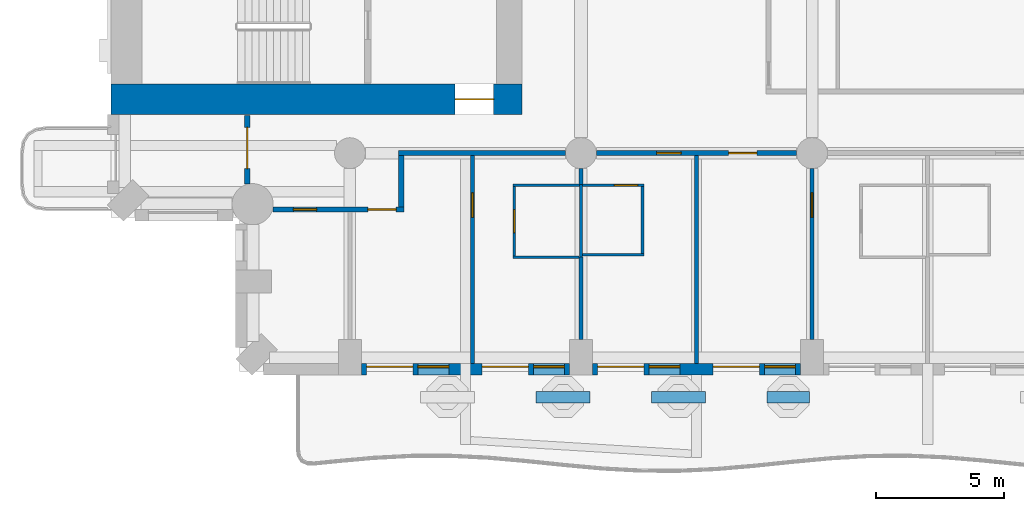
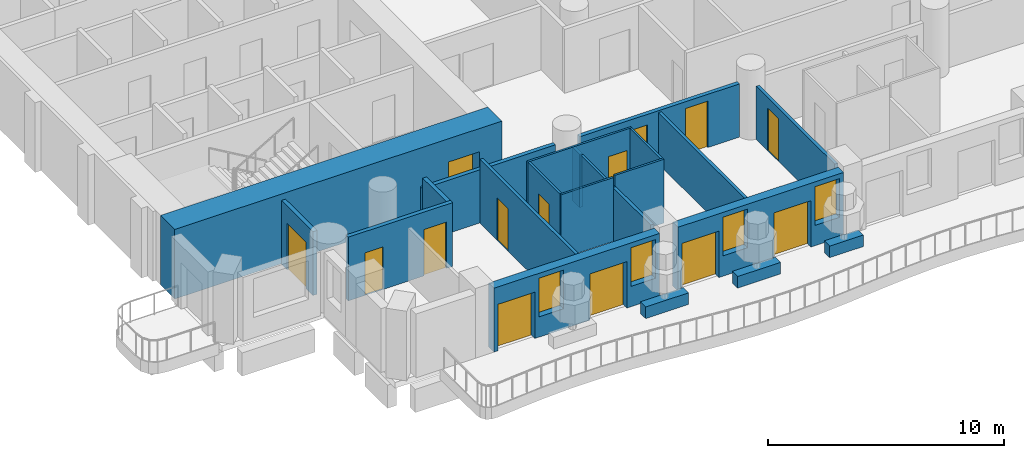
# One storey, part 3 of 20: 22 walls, 14 doors, 4 windows, 18 openings.
"""IFC4 building model written with IfcOpenShell, lengths in metres."""

from ifc_helpers import new_model, si_unit, direction, frame, frame_2d, origin, place, context, subcontext, project, spatial, rectangle, extrude, material, layer, layer_set, type_object, element, fill, save


model = new_model("IFC4")

# Units and contexts
model_context = context("Model", 3, precision=1e-05, world=origin(), true_north=direction((0.0, 1.0)))
body_context = subcontext(model_context, "Body", "Model", "MODEL_VIEW")
ifc_project = project(units=[si_unit("LENGTHUNIT", "METRE"), si_unit("AREAUNIT", "SQUARE_METRE"), si_unit("VOLUMEUNIT", "CUBIC_METRE"), si_unit("PLANEANGLEUNIT", "RADIAN"), si_unit("MASSUNIT", "GRAM", prefix="KILO")], contexts=[model_context])

# Site, building, storey
site_placement = place(None, origin())
site = spatial("IfcSite", under=ifc_project, at=site_placement, CompositionType="ELEMENT")
building_placement = place(site_placement, origin())
building = spatial("IfcBuilding", under=site, at=building_placement, Name="Cypress Arch Tower", CompositionType="ELEMENT")
storey_placement = place(building_placement, frame((0.0, 0.0, 80.699951171875)))
storey = spatial("IfcBuildingStorey", under=building, at=storey_placement, Name="L14", CompositionType="ELEMENT", Elevation=80.699951171875)

# Walls
ifc_material_1 = material(Name="Concrete C40/50, waterproofed", Category="concrete")
ifc_layer_1 = layer(ifc_material_1, 0.449951171875)
ifc_layer_set_1 = layer_set([ifc_layer_1], Name="Balcony planter wall PW450")
wall_type_1 = type_object("IfcWallType", Name="Balcony planter wall PW450", PredefinedType="SOLIDWALL", material=ifc_layer_set_1)
for number, where, z_axis, x_axis, name in (
    (1, (-13.449951171875, -27.0, 0.0), (0.0, 0.0, 1.0), (1.0, 0.0, 0.0), "Balcony planter wall L14-A03.2"),
    (2, (-8.949951171875, -27.0, 0.0), (0.0, 0.0, 1.0), (1.0, 0.0, 0.0), "Balcony planter wall L14-A03.3"),
):
    element("IfcWall", number, at=place(storey_placement, frame(where, z_axis=z_axis, x_axis=x_axis)), inside=storey, type_object=wall_type_1, Name=name, PredefinedType="SOLIDWALL", context=body_context, shape_type="SweptSolid", body=[
        extrude(rectangle(XDim=2.099853515625, YDim=0.449951171875, at=frame_2d((1.0498046875, 0.0))), origin(), (0.0, 0.0, 1.0), 0.60009765625),
    ])
wall_1_placement = place(storey_placement, frame((-4.449951171875, -27.0, 0.0), z_axis=(0.0, 0.0, 1.0), x_axis=(1.0, 0.0, 0.0)))
element("IfcWall", 3, at=wall_1_placement, inside=storey, type_object=wall_type_1, Name="Balcony planter wall L14-A03.4", PredefinedType="SOLIDWALL", context=body_context, shape_type="SweptSolid", body=[
    extrude(rectangle(XDim=1.64990234375, YDim=0.449951171875, at=frame_2d((0.824951171875, 0.0))), origin(), (0.0, 0.0, 1.0), 0.60009765625),
])

# Wall, openings, doors, windows
ifc_material_2 = material(Name="Brick (red buff blend)", Category="masonry")
ifc_layer_2 = layer(ifc_material_2, 0.449951171875)
ifc_layer_set_2 = layer_set([ifc_layer_2], Name="Brick pier and spandrel wall BW450")
wall_type_2 = type_object("IfcWallType", Name="Brick pier and spandrel wall BW450", PredefinedType="SOLIDWALL", material=ifc_layer_set_2)
wall_2_placement = place(storey_placement, frame((-20.25, -25.925048828125, 0.0), z_axis=(0.0, 0.0, 1.0), x_axis=(1.0, 0.0, 0.0)))
wall_2 = element("IfcWall", 4, at=wall_2_placement, inside=storey, type_object=wall_type_2, Name="Brick wall L14 A03.1", PredefinedType="SOLIDWALL", context=body_context, shape_type="SweptSolid", body=[
    extrude(rectangle(XDim=8.10009765625, YDim=0.449951171875, at=frame_2d((4.050048828125, 0.0))), origin(), (0.0, 0.0, 1.0), 3.300048828125),
])
opening_1_placement = place(wall_2_placement, frame((0.199951171875, 0.0, 0.0)))
opening_1 = element("IfcOpeningElement", 5, at=opening_1_placement, cuts=wall_2, Name="Opening D-L14-A03.1.1", PredefinedType="OPENING", context=body_context, shape_type="SweptSolid", body=[
    extrude(rectangle(XDim=1.800048828125, YDim=2.39990234375, at=frame_2d((0.89990234375, 1.199951171875))), frame((0.0, 0.23486328125, 0.0), z_axis=(0.0, -1.0, 0.0), x_axis=(1.0, 0.0, 0.0)), (0.0, 0.0, 1.0), 0.469970703125),
])
opening_2_placement = place(wall_2_placement, frame((2.199951171875, 0.0, 1.050048828125)))
opening_2 = element("IfcOpeningElement", 6, at=opening_2_placement, cuts=wall_2, Name="Opening W120HD", PredefinedType="OPENING", context=body_context, shape_type="SweptSolid", body=[
    extrude(rectangle(XDim=1.199951171875, YDim=2.0, at=frame_2d((0.60009765625, 1.0))), frame((0.0, 0.23486328125, 0.0), z_axis=(0.0, -1.0, 0.0), x_axis=(1.0, 0.0, 0.0)), (0.0, 0.0, 1.0), 0.469970703125),
])
opening_3_placement = place(wall_2_placement, frame((4.699951171875, 0.0, 0.0)))
opening_3 = element("IfcOpeningElement", 7, at=opening_3_placement, cuts=wall_2, Name="Opening D-L14-A03.1.2", PredefinedType="OPENING", context=body_context, shape_type="SweptSolid", body=[
    extrude(rectangle(XDim=1.800048828125, YDim=2.39990234375, at=frame_2d((0.89990234375, 1.199951171875))), frame((0.0, 0.23486328125, 0.0), z_axis=(0.0, -1.0, 0.0), x_axis=(1.0, 0.0, 0.0)), (0.0, 0.0, 1.0), 0.469970703125),
])
opening_4_placement = place(wall_2_placement, frame((6.699951171875, 0.0, 1.050048828125)))
opening_4 = element("IfcOpeningElement", 8, at=opening_4_placement, cuts=wall_2, Name="Opening W120HD", PredefinedType="OPENING", context=body_context, shape_type="SweptSolid", body=[
    extrude(rectangle(XDim=1.199951171875, YDim=2.0, at=frame_2d((0.60009765625, 1.0))), frame((0.0, 0.23486328125, 0.0), z_axis=(0.0, -1.0, 0.0), x_axis=(1.0, 0.0, 0.0)), (0.0, 0.0, 1.0), 0.469970703125),
])
ifc_material_3 = material(Name="Anodised aluminium, bronze finish, laminated low-emissivity double glazing, large-missile impact rated", Category="aluminium")
door_type_1 = type_object("IfcDoorType", Name="Balcony sliding door 1800x2400", OperationType="SLIDING_TO_LEFT", PredefinedType="DOOR", material=ifc_material_3)
door_1_placement = place(opening_1_placement, origin())
door_1 = element("IfcDoor", 9, at=door_1_placement, inside=storey, type_object=door_type_1, Name="Balcony door L14 A03.1.1", OperationType="SLIDING_TO_LEFT", OverallHeight=2.39990234375, OverallWidth=1.800048828125, PredefinedType="DOOR", context=body_context, shape_type="SweptSolid", body=[
    extrude(rectangle(XDim=1.800048828125, YDim=2.39990234375, at=frame_2d((0.89990234375, 1.199951171875))), frame((0.0, 0.1298828125, 0.0), z_axis=(0.0, -1.0, 0.0), x_axis=(1.0, 0.0, 0.0)), (0.0, 0.0, 1.0), 0.050048828125),
])
fill(opening_1, door_1)
door_2_placement = place(opening_3_placement, origin())
door_2 = element("IfcDoor", 10, at=door_2_placement, inside=storey, type_object=door_type_1, Name="Balcony door L14 A03.1.2", OperationType="SLIDING_TO_LEFT", OverallHeight=2.39990234375, OverallWidth=1.800048828125, PredefinedType="DOOR", context=body_context, shape_type="SweptSolid", body=[
    extrude(rectangle(XDim=1.800048828125, YDim=2.39990234375, at=frame_2d((0.89990234375, 1.199951171875))), frame((0.0, 0.1298828125, 0.0), z_axis=(0.0, -1.0, 0.0), x_axis=(1.0, 0.0, 0.0)), (0.0, 0.0, 1.0), 0.050048828125),
])
fill(opening_3, door_2)
ifc_material_4 = material(Name="Anodised aluminium, bronze finish, laminated low-emissivity double glazing, large-missile impact rated", Category="aluminium")
window_type = type_object("IfcWindowType", Name="Window Hotel 1200x2000 debris-rated", PartitioningType="SINGLE_PANEL", PredefinedType="WINDOW", material=ifc_material_4)
window_1_placement = place(opening_2_placement, origin())
window_1 = element("IfcWindow", 11, at=window_1_placement, inside=storey, type_object=window_type, Name="Window L14 A03.1.1", OverallHeight=2.0, OverallWidth=1.199951171875, PartitioningType="SINGLE_PANEL", PredefinedType="WINDOW", context=body_context, shape_type="SweptSolid", body=[
    extrude(rectangle(XDim=1.199951171875, YDim=2.0, at=frame_2d((0.60009765625, 1.0))), frame((0.0, 0.135009765625, 0.0), z_axis=(0.0, -1.0, 0.0), x_axis=(1.0, 0.0, 0.0)), (0.0, 0.0, 1.0), 0.06005859375),
])
fill(opening_2, window_1)
window_2_placement = place(opening_4_placement, origin())
window_2 = element("IfcWindow", 12, at=window_2_placement, inside=storey, type_object=window_type, Name="Window L14 A03.1.2", OverallHeight=2.0, OverallWidth=1.199951171875, PartitioningType="SINGLE_PANEL", PredefinedType="WINDOW", context=body_context, shape_type="SweptSolid", body=[
    extrude(rectangle(XDim=1.199951171875, YDim=2.0, at=frame_2d((0.60009765625, 1.0))), frame((0.0, 0.135009765625, 0.0), z_axis=(0.0, -1.0, 0.0), x_axis=(1.0, 0.0, 0.0)), (0.0, 0.0, 1.0), 0.06005859375),
])
fill(opening_4, window_2)

wall_3_placement = place(storey_placement, frame((-11.25, -25.925048828125, 0.0), z_axis=(0.0, 0.0, 1.0), x_axis=(1.0, 0.0, 0.0)))
wall_3 = element("IfcWall", 13, at=wall_3_placement, inside=storey, type_object=wall_type_2, Name="Brick wall L14 A03.2", PredefinedType="SOLIDWALL", context=body_context, shape_type="SweptSolid", body=[
    extrude(rectangle(XDim=8.10009765625, YDim=0.449951171875, at=frame_2d((4.050048828125, 0.0))), origin(), (0.0, 0.0, 1.0), 3.300048828125),
])
opening_5_placement = place(wall_3_placement, frame((0.199951171875, 0.0, 0.0)))
opening_5 = element("IfcOpeningElement", 14, at=opening_5_placement, cuts=wall_3, Name="Opening D-L14-A03.2.1", PredefinedType="OPENING", context=body_context, shape_type="SweptSolid", body=[
    extrude(rectangle(XDim=1.800048828125, YDim=2.39990234375, at=frame_2d((0.89990234375, 1.199951171875))), frame((0.0, 0.23486328125, 0.0), z_axis=(0.0, -1.0, 0.0), x_axis=(1.0, 0.0, 0.0)), (0.0, 0.0, 1.0), 0.469970703125),
])
opening_6_placement = place(wall_3_placement, frame((2.199951171875, 0.0, 1.050048828125)))
opening_6 = element("IfcOpeningElement", 15, at=opening_6_placement, cuts=wall_3, Name="Opening W120HD", PredefinedType="OPENING", context=body_context, shape_type="SweptSolid", body=[
    extrude(rectangle(XDim=1.199951171875, YDim=2.0, at=frame_2d((0.60009765625, 1.0))), frame((0.0, 0.23486328125, 0.0), z_axis=(0.0, -1.0, 0.0), x_axis=(1.0, 0.0, 0.0)), (0.0, 0.0, 1.0), 0.469970703125),
])
opening_7_placement = place(wall_3_placement, frame((4.699951171875, 0.0, 0.0)))
opening_7 = element("IfcOpeningElement", 16, at=opening_7_placement, cuts=wall_3, Name="Opening D-L14-A03.2.2", PredefinedType="OPENING", context=body_context, shape_type="SweptSolid", body=[
    extrude(rectangle(XDim=1.800048828125, YDim=2.39990234375, at=frame_2d((0.89990234375, 1.199951171875))), frame((0.0, 0.23486328125, 0.0), z_axis=(0.0, -1.0, 0.0), x_axis=(1.0, 0.0, 0.0)), (0.0, 0.0, 1.0), 0.469970703125),
])
opening_8_placement = place(wall_3_placement, frame((6.699951171875, 0.0, 1.050048828125)))
opening_8 = element("IfcOpeningElement", 17, at=opening_8_placement, cuts=wall_3, Name="Opening W120HD", PredefinedType="OPENING", context=body_context, shape_type="SweptSolid", body=[
    extrude(rectangle(XDim=1.199951171875, YDim=2.0, at=frame_2d((0.60009765625, 1.0))), frame((0.0, 0.23486328125, 0.0), z_axis=(0.0, -1.0, 0.0), x_axis=(1.0, 0.0, 0.0)), (0.0, 0.0, 1.0), 0.469970703125),
])
door_3_placement = place(opening_5_placement, origin())
door_3 = element("IfcDoor", 18, at=door_3_placement, inside=storey, type_object=door_type_1, Name="Balcony door L14 A03.2.1", OperationType="SLIDING_TO_LEFT", OverallHeight=2.39990234375, OverallWidth=1.800048828125, PredefinedType="DOOR", context=body_context, shape_type="SweptSolid", body=[
    extrude(rectangle(XDim=1.800048828125, YDim=2.39990234375, at=frame_2d((0.89990234375, 1.199951171875))), frame((0.0, 0.1298828125, 0.0), z_axis=(0.0, -1.0, 0.0), x_axis=(1.0, 0.0, 0.0)), (0.0, 0.0, 1.0), 0.050048828125),
])
fill(opening_5, door_3)
door_4_placement = place(opening_7_placement, origin())
door_4 = element("IfcDoor", 19, at=door_4_placement, inside=storey, type_object=door_type_1, Name="Balcony door L14 A03.2.2", OperationType="SLIDING_TO_LEFT", OverallHeight=2.39990234375, OverallWidth=1.800048828125, PredefinedType="DOOR", context=body_context, shape_type="SweptSolid", body=[
    extrude(rectangle(XDim=1.800048828125, YDim=2.39990234375, at=frame_2d((0.89990234375, 1.199951171875))), frame((0.0, 0.1298828125, 0.0), z_axis=(0.0, -1.0, 0.0), x_axis=(1.0, 0.0, 0.0)), (0.0, 0.0, 1.0), 0.050048828125),
])
fill(opening_7, door_4)
window_3_placement = place(opening_6_placement, origin())
window_3 = element("IfcWindow", 20, at=window_3_placement, inside=storey, type_object=window_type, Name="Window L14 A03.2.1", OverallHeight=2.0, OverallWidth=1.199951171875, PartitioningType="SINGLE_PANEL", PredefinedType="WINDOW", context=body_context, shape_type="SweptSolid", body=[
    extrude(rectangle(XDim=1.199951171875, YDim=2.0, at=frame_2d((0.60009765625, 1.0))), frame((0.0, 0.135009765625, 0.0), z_axis=(0.0, -1.0, 0.0), x_axis=(1.0, 0.0, 0.0)), (0.0, 0.0, 1.0), 0.06005859375),
])
fill(opening_6, window_3)
window_4_placement = place(opening_8_placement, origin())
window_4 = element("IfcWindow", 21, at=window_4_placement, inside=storey, type_object=window_type, Name="Window L14 A03.2.2", OverallHeight=2.0, OverallWidth=1.199951171875, PartitioningType="SINGLE_PANEL", PredefinedType="WINDOW", context=body_context, shape_type="SweptSolid", body=[
    extrude(rectangle(XDim=1.199951171875, YDim=2.0, at=frame_2d((0.60009765625, 1.0))), frame((0.0, 0.135009765625, 0.0), z_axis=(0.0, -1.0, 0.0), x_axis=(1.0, 0.0, 0.0)), (0.0, 0.0, 1.0), 0.06005859375),
])
fill(opening_8, window_4)

# Wall, opening, door
ifc_material_5 = material(Name="Concrete C80/95", Category="concrete")
ifc_layer_3 = layer(ifc_material_5, 1.199951171875)
ifc_layer_set_3 = layer_set([ifc_layer_3], Name="Core wall CW1200 C80/95")
wall_type_3 = type_object("IfcWallType", Name="Core wall CW1200 C80/95", PredefinedType="SHEAR", material=ifc_layer_set_3)
wall_4_placement = place(storey_placement, frame((-30.0, -15.39990234375, 0.0), z_axis=(0.0, 0.0, 1.0), x_axis=(1.0, 0.0, 0.0)))
wall_4 = element("IfcWall", 22, at=wall_4_placement, inside=storey, type_object=wall_type_3, Name="Core wall", PredefinedType="SHEAR", context=body_context, shape_type="SweptSolid", body=[
    extrude(rectangle(XDim=16.0, YDim=1.199951171875, at=frame_2d((8.0, 0.0))), origin(), (0.0, 0.0, 1.0), 3.60009765625),
])
opening_9_placement = place(wall_4_placement, frame((13.39990234375, 0.0, 0.0)))
opening_9 = element("IfcOpeningElement", 23, at=opening_9_placement, cuts=wall_4, Name="Opening D07", PredefinedType="OPENING", context=body_context, shape_type="SweptSolid", body=[
    extrude(rectangle(XDim=1.5, YDim=2.39990234375, at=frame_2d((0.75, 1.199951171875))), frame((0.0, 0.60986328125, 0.0), z_axis=(0.0, -1.0, 0.0), x_axis=(1.0, 0.0, 0.0)), (0.0, 0.0, 1.0), 1.219970703125),
])
ifc_material_6 = material(Name="Steel framed glazed door, fire resisting", Category="steel")
door_type_2 = type_object("IfcDoorType", Name="Lobby door D07 1500x2400", OperationType="DOUBLE_DOOR_SINGLE_SWING", PredefinedType="DOOR", material=ifc_material_6)
door_5_placement = place(opening_9_placement, origin())
door_5 = element("IfcDoor", 24, at=door_5_placement, inside=storey, type_object=door_type_2, Name="Lobby door", OperationType="DOUBLE_DOOR_SINGLE_SWING", OverallHeight=2.39990234375, OverallWidth=1.5, PredefinedType="DOOR", context=body_context, shape_type="SweptSolid", body=[
    extrude(rectangle(XDim=1.5, YDim=2.39990234375, at=frame_2d((0.75, 1.199951171875))), frame((0.0, 0.02490234375, 0.0), z_axis=(0.0, -1.0, 0.0), x_axis=(1.0, 0.0, 0.0)), (0.0, 0.0, 1.0), 0.050048828125),
])
fill(opening_9, door_5)

ifc_material_7 = material(Name="Concrete blockwork, plastered, rated", Category="masonry")
ifc_layer_4 = layer(ifc_material_7, 0.199951171875)
ifc_layer_set_4 = layer_set([ifc_layer_4], Name="Corridor wall FW200")
wall_type_4 = type_object("IfcWallType", Name="Corridor wall FW200", PredefinedType="PARTITIONING", material=ifc_layer_set_4)
wall_5_placement = place(storey_placement, frame((-24.699951171875, -18.7001953125, 0.0), z_axis=(0.0, 0.0, 1.0), x_axis=(0.0, 1.0, 0.0)))
wall_5 = element("IfcWall", 25, at=wall_5_placement, inside=storey, type_object=wall_type_4, Name="Corridor wall", PredefinedType="PARTITIONING", context=body_context, shape_type="SweptSolid", body=[
    extrude(rectangle(XDim=2.670166015625, YDim=0.199951171875, at=frame_2d((1.3349609375, 0.0))), origin(), (0.0, 0.0, 1.0), 3.300048828125),
])
opening_10_placement = place(wall_5_placement, frame((0.60009765625, 0.0, 0.0)))
opening_10 = element("IfcOpeningElement", 26, at=opening_10_placement, cuts=wall_5, Name="Opening D10", PredefinedType="OPENING", context=body_context, shape_type="SweptSolid", body=[
    extrude(rectangle(XDim=1.60009765625, YDim=2.39990234375, at=frame_2d((0.800048828125, 1.199951171875))), frame((0.0, 0.10986328125, 0.0), z_axis=(0.0, -1.0, 0.0), x_axis=(1.0, 0.0, 0.0)), (0.0, 0.0, 1.0), 0.219970703125),
])
ifc_material_8 = material(Name="Black aluminium glazed door", Category="aluminium")
door_type_3 = type_object("IfcDoorType", Name="Amenity door D10 1600x2400", OperationType="DOUBLE_DOOR_SINGLE_SWING", PredefinedType="DOOR", material=ifc_material_8)
door_6_placement = place(opening_10_placement, origin())
door_6 = element("IfcDoor", 27, at=door_6_placement, inside=storey, type_object=door_type_3, Name="Amenity door", OperationType="DOUBLE_DOOR_SINGLE_SWING", OverallHeight=2.39990234375, OverallWidth=1.60009765625, PredefinedType="DOOR", context=body_context, shape_type="SweptSolid", body=[
    extrude(rectangle(XDim=1.60009765625, YDim=2.39990234375, at=frame_2d((0.800048828125, 1.199951171875))), frame((0.0, 0.02490234375, 0.0), z_axis=(0.0, -1.0, 0.0), x_axis=(1.0, 0.0, 0.0)), (0.0, 0.0, 1.0), 0.050048828125),
])
fill(opening_10, door_6)

# Wall, openings, doors
wall_6_placement = place(storey_placement, frame((-23.7001953125, -19.699951171875, 0.0), z_axis=(0.0, 0.0, 1.0), x_axis=(1.0, 0.0, 0.0)))
wall_6 = element("IfcWall", 28, at=wall_6_placement, inside=storey, type_object=wall_type_4, Name="Corridor wall", PredefinedType="PARTITIONING", context=body_context, shape_type="SweptSolid", body=[
    extrude(rectangle(XDim=5.10009765625, YDim=0.199951171875, at=frame_2d((2.550048828125, 0.0))), origin(), (0.0, 0.0, 1.0), 3.300048828125),
])
opening_11_placement = place(wall_6_placement, frame((0.800048828125, 0.0, 0.0)))
opening_11 = element("IfcOpeningElement", 29, at=opening_11_placement, cuts=wall_6, Name="Opening D05", PredefinedType="OPENING", context=body_context, shape_type="SweptSolid", body=[
    extrude(rectangle(XDim=0.89990234375, YDim=2.199951171875, at=frame_2d((0.449951171875, 1.10009765625))), frame((0.0, 0.10986328125, 0.0), z_axis=(0.0, -1.0, 0.0), x_axis=(1.0, 0.0, 0.0)), (0.0, 0.0, 1.0), 0.219970703125),
])
opening_12_placement = place(wall_6_placement, frame((3.699951171875, 0.0, 0.0)))
opening_12 = element("IfcOpeningElement", 30, at=opening_12_placement, cuts=wall_6, Name="Opening D01", PredefinedType="OPENING", context=body_context, shape_type="SweptSolid", body=[
    extrude(rectangle(XDim=1.10009765625, YDim=2.39990234375, at=frame_2d((0.550048828125, 1.199951171875))), frame((0.0, 0.10986328125, 0.0), z_axis=(0.0, -1.0, 0.0), x_axis=(1.0, 0.0, 0.0)), (0.0, 0.0, 1.0), 0.219970703125),
])
ifc_material_9 = material(Name="Timber flush door", Category="wood")
door_type_4 = type_object("IfcDoorType", Name="Service door D05 900x2200", OperationType="SINGLE_SWING_LEFT", PredefinedType="DOOR", material=ifc_material_9)
door_7_placement = place(opening_11_placement, origin())
door_7 = element("IfcDoor", 31, at=door_7_placement, inside=storey, type_object=door_type_4, Name="Service door", OperationType="SINGLE_SWING_RIGHT", OverallHeight=2.199951171875, OverallWidth=0.89990234375, PredefinedType="DOOR", context=body_context, shape_type="SweptSolid", body=[
    extrude(rectangle(XDim=0.89990234375, YDim=2.199951171875, at=frame_2d((0.449951171875, 1.10009765625))), frame((0.0, 0.02490234375, 0.0), z_axis=(0.0, -1.0, 0.0), x_axis=(1.0, 0.0, 0.0)), (0.0, 0.0, 1.0), 0.050048828125),
])
fill(opening_11, door_7)
ifc_material_10 = material(Name="Timber flush door, fire resisting, self-closing", Category="wood")
door_type_5 = type_object("IfcDoorType", Name="Unit entrance door D01 1100x2400", OperationType="SINGLE_SWING_LEFT", PredefinedType="DOOR", material=ifc_material_10)
door_8_placement = place(opening_12_placement, origin())
door_8 = element("IfcDoor", 32, at=door_8_placement, inside=storey, type_object=door_type_5, Name="Unit entrance door", OperationType="SINGLE_SWING_RIGHT", OverallHeight=2.39990234375, OverallWidth=1.10009765625, PredefinedType="DOOR", context=body_context, shape_type="SweptSolid", body=[
    extrude(rectangle(XDim=1.10009765625, YDim=2.39990234375, at=frame_2d((0.550048828125, 1.199951171875))), frame((0.0, 0.02490234375, 0.0), z_axis=(0.0, -1.0, 0.0), x_axis=(1.0, 0.0, 0.0)), (0.0, 0.0, 1.0), 0.050048828125),
])
fill(opening_12, door_8)

# Walls
wall_7_placement = place(storey_placement, frame((-18.699951171875, -19.60009765625, 0.0), z_axis=(0.0, 0.0, 1.0), x_axis=(0.0, 1.0, 0.0)))
element("IfcWall", 33, at=wall_7_placement, inside=storey, type_object=wall_type_4, Name="Corridor wall", PredefinedType="PARTITIONING", context=body_context, shape_type="SweptSolid", body=[
    extrude(rectangle(XDim=2.0, YDim=0.199951171875, at=frame_2d((1.0, 0.0))), origin(), (0.0, 0.0, 1.0), 3.300048828125),
])
wall_8_placement = place(storey_placement, frame((-18.800048828125, -17.5, 0.0), z_axis=(0.0, 0.0, 1.0), x_axis=(1.0, 0.0, 0.0)))
element("IfcWall", 34, at=wall_8_placement, inside=storey, type_object=wall_type_4, Name="Corridor wall", PredefinedType="PARTITIONING", context=body_context, shape_type="SweptSolid", body=[
    extrude(rectangle(XDim=6.5, YDim=0.199951171875, at=frame_2d((3.25, 0.0))), origin(), (0.0, 0.0, 1.0), 2.75),
])

# Wall, openings, doors
wall_9_placement = place(storey_placement, frame((-11.10009765625, -17.5, 0.0), z_axis=(0.0, 0.0, 1.0), x_axis=(1.0, 0.0, 0.0)))
wall_9 = element("IfcWall", 35, at=wall_9_placement, inside=storey, type_object=wall_type_4, Name="Corridor wall", PredefinedType="PARTITIONING", context=body_context, shape_type="SweptSolid", body=[
    extrude(rectangle(XDim=7.800048828125, YDim=0.199951171875, at=frame_2d((3.89990234375, 0.0))), origin(), (0.0, 0.0, 1.0), 2.75),
])
opening_13_placement = place(wall_9_placement, frame((2.35009765625, 0.0, 0.0)))
opening_13 = element("IfcOpeningElement", 36, at=opening_13_placement, cuts=wall_9, Name="Opening D02", PredefinedType="OPENING", context=body_context, shape_type="SweptSolid", body=[
    extrude(rectangle(XDim=0.949951171875, YDim=2.199951171875, at=frame_2d((0.47509765625, 1.10009765625))), frame((0.0, 0.10986328125, 0.0), z_axis=(0.0, -1.0, 0.0), x_axis=(1.0, 0.0, 0.0)), (0.0, 0.0, 1.0), 0.219970703125),
])
opening_14_placement = place(wall_9_placement, frame((5.14990234375, 0.0, 0.0)))
opening_14 = element("IfcOpeningElement", 37, at=opening_14_placement, cuts=wall_9, Name="Opening D01", PredefinedType="OPENING", context=body_context, shape_type="SweptSolid", body=[
    extrude(rectangle(XDim=1.10009765625, YDim=2.39990234375, at=frame_2d((0.550048828125, 1.199951171875))), frame((0.0, 0.10986328125, 0.0), z_axis=(0.0, -1.0, 0.0), x_axis=(1.0, 0.0, 0.0)), (0.0, 0.0, 1.0), 0.219970703125),
])
ifc_material_11 = material(Name="Timber flush door, fire resisting", Category="wood")
door_type_6 = type_object("IfcDoorType", Name="Room door D02 950x2200", OperationType="SINGLE_SWING_LEFT", PredefinedType="DOOR", material=ifc_material_11)
door_9_placement = place(opening_13_placement, origin())
door_9 = element("IfcDoor", 38, at=door_9_placement, inside=storey, type_object=door_type_6, Name="Room door", OperationType="SINGLE_SWING_LEFT", OverallHeight=2.199951171875, OverallWidth=0.949951171875, PredefinedType="DOOR", context=body_context, shape_type="SweptSolid", body=[
    extrude(rectangle(XDim=0.949951171875, YDim=2.199951171875, at=frame_2d((0.47509765625, 1.10009765625))), frame((0.0, 0.02490234375, 0.0), z_axis=(0.0, -1.0, 0.0), x_axis=(1.0, 0.0, 0.0)), (0.0, 0.0, 1.0), 0.050048828125),
])
fill(opening_13, door_9)
door_10_placement = place(opening_14_placement, origin())
door_10 = element("IfcDoor", 39, at=door_10_placement, inside=storey, type_object=door_type_5, Name="Unit entrance door", OperationType="SINGLE_SWING_RIGHT", OverallHeight=2.39990234375, OverallWidth=1.10009765625, PredefinedType="DOOR", context=body_context, shape_type="SweptSolid", body=[
    extrude(rectangle(XDim=1.10009765625, YDim=2.39990234375, at=frame_2d((0.550048828125, 1.199951171875))), frame((0.0, 0.02490234375, 0.0), z_axis=(0.0, -1.0, 0.0), x_axis=(1.0, 0.0, 0.0)), (0.0, 0.0, 1.0), 0.050048828125),
])
fill(opening_14, door_10)

# Wall, opening, door
ifc_material_12 = material(Name="Blockwork, plastered both sides", Category="masonry")
ifc_layer_5 = layer(ifc_material_12, 0.14990234375)
ifc_layer_set_5 = layer_set([ifc_layer_5], Name="Partition PW150")
wall_type_5 = type_object("IfcWallType", Name="Partition PW150", PredefinedType="PARTITIONING", material=ifc_layer_set_5)
wall_10_placement = place(storey_placement, frame((-15.930908203125, -25.699951171875, 0.0), z_axis=(0.0, 0.0, 1.0), x_axis=(0.0, 1.0, 0.0)))
wall_10 = element("IfcWall", 40, at=wall_10_placement, inside=storey, type_object=wall_type_5, Name="Partition", PredefinedType="PARTITIONING", context=body_context, shape_type="SweptSolid", body=[
    extrude(rectangle(XDim=8.099853515625, YDim=0.14990234375, at=frame_2d((4.0498046875, 0.0))), origin(), (0.0, 0.0, 1.0), 3.300048828125),
])
opening_15_placement = place(wall_10_placement, frame((5.699951171875, 0.0, 0.0)))
opening_15 = element("IfcOpeningElement", 41, at=opening_15_placement, cuts=wall_10, Name="Opening D12", PredefinedType="OPENING", context=body_context, shape_type="SweptSolid", body=[
    extrude(rectangle(XDim=0.949951171875, YDim=2.199951171875, at=frame_2d((0.47509765625, 1.10009765625))), frame((0.0, 0.0849609375, 0.0), z_axis=(0.0, -1.0, 0.0), x_axis=(1.0, 0.0, 0.0)), (0.0, 0.0, 1.0), 0.169921875),
])
ifc_material_13 = material(Name="Timber flush door", Category="wood")
door_type_7 = type_object("IfcDoorType", Name="Room door D12 950x2200", OperationType="SINGLE_SWING_LEFT", PredefinedType="DOOR", material=ifc_material_13)
door_11_placement = place(opening_15_placement, origin())
door_11 = element("IfcDoor", 42, at=door_11_placement, inside=storey, type_object=door_type_7, Name="Room door", OperationType="SINGLE_SWING_RIGHT", OverallHeight=2.199951171875, OverallWidth=0.949951171875, PredefinedType="DOOR", context=body_context, shape_type="SweptSolid", body=[
    extrude(rectangle(XDim=0.949951171875, YDim=2.199951171875, at=frame_2d((0.47509765625, 1.10009765625))), frame((0.0, 0.02490234375, 0.0), z_axis=(0.0, -1.0, 0.0), x_axis=(1.0, 0.0, 0.0)), (0.0, 0.0, 1.0), 0.050048828125),
])
fill(opening_15, door_11)

# Walls
wall_11_placement = place(storey_placement, frame((-11.699951171875, -24.75, 0.0), z_axis=(0.0, 0.0, 1.0), x_axis=(0.0, 1.0, 0.0)))
element("IfcWall", 43, at=wall_11_placement, inside=storey, type_object=wall_type_5, Name="Partition", PredefinedType="PARTITIONING", context=body_context, shape_type="SweptSolid", body=[
    extrude(rectangle(XDim=3.199951171875, YDim=0.14990234375, at=frame_2d((1.60009765625, 0.0))), origin(), (0.0, 0.0, 1.0), 2.75),
])
wall_12_placement = place(storey_placement, frame((-11.699951171875, -18.72998046875, 0.0), z_axis=(0.0, 0.0, 1.0), x_axis=(0.0, 1.0, 0.0)))
element("IfcWall", 44, at=wall_12_placement, inside=storey, type_object=wall_type_5, Name="Partition", PredefinedType="PARTITIONING", context=body_context, shape_type="SweptSolid", body=[
    extrude(rectangle(XDim=0.6298828125, YDim=0.14990234375, at=frame_2d((0.31494140625, 0.0))), origin(), (0.0, 0.0, 1.0), 2.75),
])
wall_13_placement = place(storey_placement, frame((-7.199951171875, -25.699951171875, 0.0), z_axis=(0.0, 0.0, 1.0), x_axis=(0.0, 1.0, 0.0)))
element("IfcWall", 45, at=wall_13_placement, inside=storey, type_object=wall_type_5, Name="Partition", PredefinedType="PARTITIONING", context=body_context, shape_type="SweptSolid", body=[
    extrude(rectangle(XDim=8.099853515625, YDim=0.14990234375, at=frame_2d((4.0498046875, 0.0))), origin(), (0.0, 0.0, 1.0), 2.650146484375),
])

# Wall, opening, door
wall_14_placement = place(storey_placement, frame((-2.699951171875, -24.75, 0.0), z_axis=(0.0, 0.0, 1.0), x_axis=(0.0, 1.0, 0.0)))
wall_14 = element("IfcWall", 46, at=wall_14_placement, inside=storey, type_object=wall_type_5, Name="Partition", PredefinedType="PARTITIONING", context=body_context, shape_type="SweptSolid", body=[
    extrude(rectangle(XDim=6.64990234375, YDim=0.14990234375, at=frame_2d((3.324951171875, 0.0))), origin(), (0.0, 0.0, 1.0), 2.75),
])
opening_16_placement = place(wall_14_placement, frame((4.75, 0.0, 0.0)))
opening_16 = element("IfcOpeningElement", 47, at=opening_16_placement, cuts=wall_14, Name="Opening D12", PredefinedType="OPENING", context=body_context, shape_type="SweptSolid", body=[
    extrude(rectangle(XDim=0.949951171875, YDim=2.199951171875, at=frame_2d((0.47509765625, 1.10009765625))), frame((0.0, 0.0849609375, 0.0), z_axis=(0.0, -1.0, 0.0), x_axis=(1.0, 0.0, 0.0)), (0.0, 0.0, 1.0), 0.169921875),
])
door_12_placement = place(opening_16_placement, origin())
door_12 = element("IfcDoor", 48, at=door_12_placement, inside=storey, type_object=door_type_7, Name="Room door", OperationType="SINGLE_SWING_RIGHT", OverallHeight=2.199951171875, OverallWidth=0.949951171875, PredefinedType="DOOR", context=body_context, shape_type="SweptSolid", body=[
    extrude(rectangle(XDim=0.949951171875, YDim=2.199951171875, at=frame_2d((0.47509765625, 1.10009765625))), frame((0.0, 0.02490234375, 0.0), z_axis=(0.0, -1.0, 0.0), x_axis=(1.0, 0.0, 0.0)), (0.0, 0.0, 1.0), 0.050048828125),
])
fill(opening_16, door_12)

ifc_material_14 = material(Name="Moisture resistant board on steel studs, tiled", Category="steel")
ifc_layer_6 = layer(ifc_material_14, 0.10009765625)
ifc_layer_set_6 = layer_set([ifc_layer_6], Name="Wet wall PW100")
wall_type_6 = type_object("IfcWallType", Name="Wet wall PW100", PredefinedType="PARTITIONING", material=ifc_layer_set_6)
wall_15_placement = place(storey_placement, frame((-14.2958984375, -21.5, 0.0), z_axis=(0.0, 0.0, 1.0), x_axis=(0.0, 1.0, 0.0)))
wall_15 = element("IfcWall", 49, at=wall_15_placement, inside=storey, type_object=wall_type_6, Name="Wet wall", PredefinedType="PARTITIONING", context=body_context, shape_type="SweptSolid", body=[
    extrude(rectangle(XDim=2.699951171875, YDim=0.10009765625, at=frame_2d((1.35009765625, 0.0))), origin(), (0.0, 0.0, 1.0), 3.300048828125),
])
opening_17_placement = place(wall_15_placement, frame((0.89990234375, 0.0, 0.0)))
opening_17 = element("IfcOpeningElement", 50, at=opening_17_placement, cuts=wall_15, Name="Opening D03", PredefinedType="OPENING", context=body_context, shape_type="SweptSolid", body=[
    extrude(rectangle(XDim=0.89990234375, YDim=2.199951171875, at=frame_2d((0.449951171875, 1.10009765625))), frame((0.0, 0.06005859375, 0.0), z_axis=(0.0, -1.0, 0.0), x_axis=(1.0, 0.0, 0.0)), (0.0, 0.0, 1.0), 0.1201171875),
])
ifc_material_15 = material(Name="Timber flush door, moisture resistant", Category="wood")
door_type_8 = type_object("IfcDoorType", Name="Bathroom door D03 900x2200", OperationType="SINGLE_SWING_LEFT", PredefinedType="DOOR", material=ifc_material_15)
door_13_placement = place(opening_17_placement, origin())
door_13 = element("IfcDoor", 51, at=door_13_placement, inside=storey, type_object=door_type_8, Name="Bathroom door", OperationType="SINGLE_SWING_LEFT", OverallHeight=2.199951171875, OverallWidth=0.89990234375, PredefinedType="DOOR", context=body_context, shape_type="SweptSolid", body=[
    extrude(rectangle(XDim=0.89990234375, YDim=2.199951171875, at=frame_2d((0.449951171875, 1.10009765625))), frame((0.0, 0.02490234375, 0.0), z_axis=(0.0, -1.0, 0.0), x_axis=(1.0, 0.0, 0.0)), (0.0, 0.0, 1.0), 0.050048828125),
])
fill(opening_17, door_13)

# Wall
wall_16_placement = place(storey_placement, frame((-14.345947265625, -21.550048828125, 0.0), z_axis=(0.0, 0.0, 1.0), x_axis=(1.0, 0.0, 0.0)))
element("IfcWall", 52, at=wall_16_placement, inside=storey, type_object=wall_type_6, Name="Wet wall", PredefinedType="PARTITIONING", context=body_context, shape_type="SweptSolid", body=[
    extrude(rectangle(XDim=2.571044921875, YDim=0.10009765625, at=frame_2d((1.28564453125, 0.0))), origin(), (0.0, 0.0, 1.0), 3.300048828125),
])

# Wall, opening, door
wall_17_placement = place(storey_placement, frame((-14.345947265625, -18.75, 0.0), z_axis=(0.0, 0.0, 1.0), x_axis=(1.0, 0.0, 0.0)))
wall_17 = element("IfcWall", 53, at=wall_17_placement, inside=storey, type_object=wall_type_6, Name="Wet wall", PredefinedType="PARTITIONING", context=body_context, shape_type="SweptSolid", body=[
    extrude(rectangle(XDim=5.092041015625, YDim=0.10009765625, at=frame_2d((2.5458984375, 0.0))), origin(), (0.0, 0.0, 1.0), 3.300048828125),
])
opening_18_placement = place(wall_17_placement, frame((3.949951171875, 0.0, 0.0)))
opening_18 = element("IfcOpeningElement", 54, at=opening_18_placement, cuts=wall_17, Name="Opening D03", PredefinedType="OPENING", context=body_context, shape_type="SweptSolid", body=[
    extrude(rectangle(XDim=0.89990234375, YDim=2.199951171875, at=frame_2d((0.449951171875, 1.10009765625))), frame((0.0, 0.06005859375, 0.0), z_axis=(0.0, -1.0, 0.0), x_axis=(1.0, 0.0, 0.0)), (0.0, 0.0, 1.0), 0.1201171875),
])
door_14_placement = place(opening_18_placement, origin())
door_14 = element("IfcDoor", 55, at=door_14_placement, inside=storey, type_object=door_type_8, Name="Bathroom door", OperationType="SINGLE_SWING_LEFT", OverallHeight=2.199951171875, OverallWidth=0.89990234375, PredefinedType="DOOR", context=body_context, shape_type="SweptSolid", body=[
    extrude(rectangle(XDim=0.89990234375, YDim=2.199951171875, at=frame_2d((0.449951171875, 1.10009765625))), frame((0.0, 0.02490234375, 0.0), z_axis=(0.0, -1.0, 0.0), x_axis=(1.0, 0.0, 0.0)), (0.0, 0.0, 1.0), 0.050048828125),
])
fill(opening_18, door_14)

# Walls
wall_18_placement = place(storey_placement, frame((-11.699951171875, -21.550048828125, 0.0), z_axis=(0.0, 0.0, 1.0), x_axis=(0.0, 1.0, 0.0)))
element("IfcWall", 56, at=wall_18_placement, inside=storey, type_object=wall_type_6, Name="Wet wall", PredefinedType="PARTITIONING", context=body_context, shape_type="SweptSolid", body=[
    extrude(rectangle(XDim=2.820068359375, YDim=0.10009765625, at=frame_2d((1.41015625, 0.0))), origin(), (0.0, 0.0, 1.0), 2.75),
])
wall_19_placement = place(storey_placement, frame((-11.64990234375, -21.449951171875, 0.0), z_axis=(0.0, 0.0, 1.0), x_axis=(1.0, 0.0, 0.0)))
element("IfcWall", 57, at=wall_19_placement, inside=storey, type_object=wall_type_6, Name="Wet wall", PredefinedType="PARTITIONING", context=body_context, shape_type="SweptSolid", body=[
    extrude(rectangle(XDim=2.39599609375, YDim=0.10009765625, at=frame_2d((1.197998046875, 0.0))), origin(), (0.0, 0.0, 1.0), 3.300048828125),
])
wall_20_placement = place(storey_placement, frame((-9.303955078125, -21.39990234375, 0.0), z_axis=(0.0, 0.0, 1.0), x_axis=(0.0, 1.0, 0.0)))
element("IfcWall", 58, at=wall_20_placement, inside=storey, type_object=wall_type_6, Name="Wet wall", PredefinedType="PARTITIONING", context=body_context, shape_type="SweptSolid", body=[
    extrude(rectangle(XDim=2.599853515625, YDim=0.10009765625, at=frame_2d((1.2998046875, 0.0))), origin(), (0.0, 0.0, 1.0), 3.300048828125),
])

save(model, "model.ifc")
